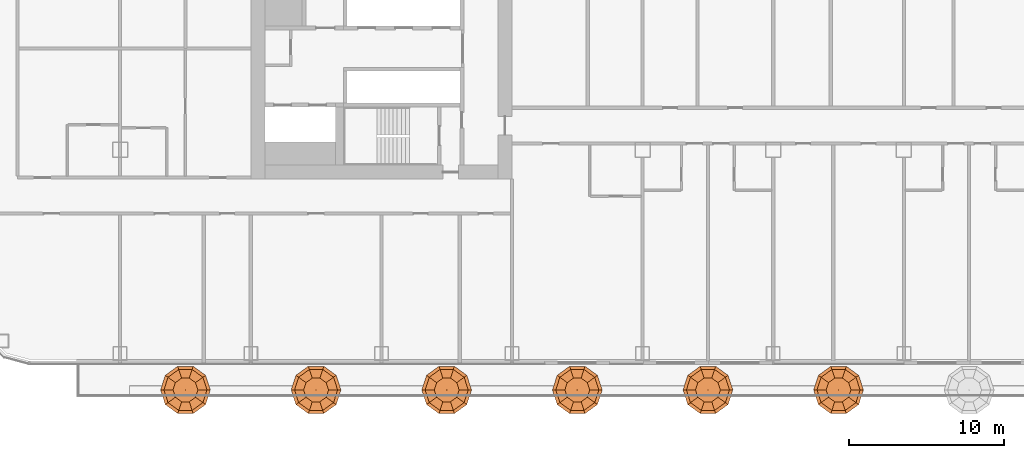
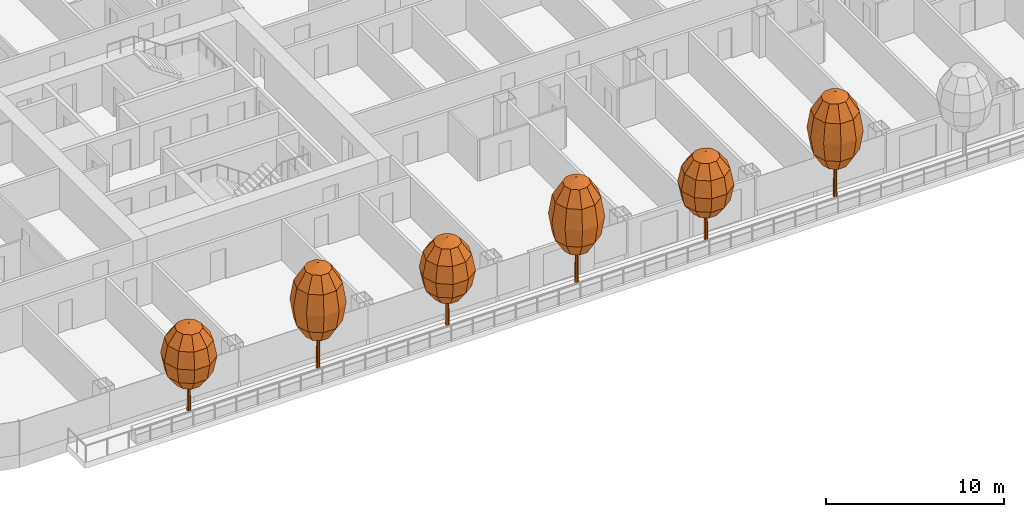
# One storey, part 33 of 36: 6 geographic elements.
"""IFC4 building model written with IfcOpenShell, lengths in metres."""

import ifcopenshell
import ifcopenshell.guid

model = None  # the IFC model being written
_history = None  # IfcOwnerHistory: only IFC2X3 demands one
_inside = {}  # id of a spatial element -> (the spatial element, [elements in it])
_under = {}  # id of a project, library or spatial element -> (it, [spatial elements below it])
_declared = {}  # id of a project -> (the project, [libraries it declares])
_typed = {}  # id of a type object -> (the type object, [elements of that type])
_made_of = {}  # id of a material, layer set ... -> (it, [elements and type objects made of it])


def new_model(schema):
    """Start an empty IFC model of exactly this schema.

    Asked for "IFC4X3", IfcOpenShell would pick the latest addendum, in which some entities
    have other attributes; the version numbers below select the first issue.
    IFC2X3 requires an IfcOwnerHistory on every rooted entity: one is made here for all.
    """
    global model, _history
    if schema == "IFC4X3":
        model = ifcopenshell.file(schema_version=(4, 3, 0, 0))
    else:
        model = ifcopenshell.file(schema=schema)
    _inside.clear()
    _under.clear()
    _declared.clear()
    _typed.clear()
    _made_of.clear()
    _history = None
    if model.schema == "IFC2X3":
        org = make("IfcOrganization", Name="unknown")
        user = make(
            "IfcPersonAndOrganization",
            ThePerson=make("IfcPerson", FamilyName="unknown"),
            TheOrganization=org,
        )
        app = make(
            "IfcApplication",
            ApplicationDeveloper=org,
            Version="unknown",
            ApplicationFullName="unknown",
            ApplicationIdentifier="unknown",
        )
        _history = make(
            "IfcOwnerHistory",
            OwningUser=user,
            OwningApplication=app,
            ChangeAction="ADDED",
            CreationDate=0,
        )
    return model


def make(cls, **values):
    """One entity of the class cls with the attributes given. An attribute that is None is left unset."""
    return model.create_entity(
        cls, **{name: value for name, value in values.items() if value is not None}
    )


def rooted(cls, **values):
    """An entity with a GlobalId (a new one), such as an element, a storey or a relation."""
    return make(cls, GlobalId=ifcopenshell.guid.new(), OwnerHistory=_history, **values)


def si_unit(unit_type, name, prefix=None):
    """IfcSIUnit, for example si_unit("LENGTHUNIT", "METRE", prefix="MILLI")."""
    return make("IfcSIUnit", UnitType=unit_type, Prefix=prefix, Name=name)


def assignment(units):
    """IfcUnitAssignment: the units of a project."""
    return None if units is None else make("IfcUnitAssignment", Units=units)


def point(xyz):
    """IfcCartesianPoint."""
    return None if xyz is None else make("IfcCartesianPoint", Coordinates=xyz)


def direction(xyz):
    """IfcDirection."""
    return None if xyz is None else make("IfcDirection", DirectionRatios=xyz)


def frame(location, z_axis=None, x_axis=None):
    """IfcAxis2Placement3D, a coordinate frame: its origin and axes. An axis left out is left unset."""
    return make(
        "IfcAxis2Placement3D",
        Location=point(location),
        Axis=direction(z_axis),
        RefDirection=direction(x_axis),
    )


def origin():
    """The frame at (0, 0, 0) with its axes left unset."""
    return frame((0.0, 0.0, 0.0))


def place(relative_to, where):
    """IfcLocalPlacement: puts the frame where relative to a parent placement (None: the world)."""
    return make(
        "IfcLocalPlacement", PlacementRelTo=relative_to, RelativePlacement=where
    )


def context(
    kind, dimensions, precision=None, world=None, true_north=None, identifier=None
):
    """IfcGeometricRepresentationContext, for example the 3D "Model" context."""
    return make(
        "IfcGeometricRepresentationContext",
        ContextIdentifier=identifier,
        ContextType=kind,
        CoordinateSpaceDimension=dimensions,
        Precision=precision,
        WorldCoordinateSystem=world,
        TrueNorth=true_north,
    )


def subcontext(parent, identifier, kind, view, scale=None):
    """IfcGeometricRepresentationSubContext, for example "Body" below "Model"."""
    return make(
        "IfcGeometricRepresentationSubContext",
        ContextIdentifier=identifier,
        ContextType=kind,
        ParentContext=parent,
        TargetScale=scale,
        TargetView=view,
    )


def project(units=None, contexts=None):
    """IfcProject with its units and contexts."""
    return rooted(
        "IfcProject",
        Name="project",
        RepresentationContexts=contexts,
        UnitsInContext=assignment(units),
    )


def spatial(cls, under=None, at=None, **own):
    """A site, building, storey or space (cls), placed at a placement, below another one or the project."""
    s = rooted(cls, ObjectPlacement=at, **own)
    if under is not None:
        _under.setdefault(under.id(), (under, []))[1].append(s)
    return s


def point_list(points):
    """IfcCartesianPointList2D or 3D."""
    cls = (
        "IfcCartesianPointList2D" if len(points[0]) == 2 else "IfcCartesianPointList3D"
    )
    return make(cls, CoordList=points)


def triangles(points, corners, closed=None, point_numbers=None):
    """IfcTriangulatedFaceSet: each triangle names its three corners, points numbered from 1."""
    return make(
        "IfcTriangulatedFaceSet",
        Coordinates=point_list(points),
        Closed=closed,
        CoordIndex=corners,
        PnIndex=point_numbers,
    )


def shape(context_of_items, identifier, shape_type, items):
    """IfcShapeRepresentation: the items that make up one representation, for example the "Body"."""
    return make(
        "IfcShapeRepresentation",
        ContextOfItems=context_of_items,
        RepresentationIdentifier=identifier,
        RepresentationType=shape_type,
        Items=items,
    )


def material(Name=None, Category=None):
    """IfcMaterial."""
    return make("IfcMaterial", Name=Name, Category=Category)


def made_of(thing, what):
    """Note that an element or type object is made of a material, layer set ...; save() writes the relation."""
    if what is not None:
        _made_of.setdefault(what.id(), (what, []))[1].append(thing)
    return thing


def type_object(cls, material=None, **own):
    """A type object (cls), such as IfcWallType, which elements share."""
    return made_of(rooted(cls, **own), material)


def element(
    cls,
    number,
    at=None,
    inside=None,
    cuts=None,
    type_object=None,
    material=None,
    context=None,
    identifier="Body",
    shape_type=None,
    held_by="IfcProductDefinitionShape",
    body=None,
    shapes=None,
    **own,
):
    """One element of the class cls, such as IfcWall. Its Tag is "e" and its number.

    at: its placement. inside: the storey or other place that contains it. cuts: it is an
    opening in that element (IfcRelVoidsElement). A single representation is given by context,
    identifier, shape_type and body (its items); several are given by shapes. held_by: the class
    of the entity that holds the representations. save() writes the other relations.
    """
    e = rooted(cls, Tag="e%d" % number, ObjectPlacement=at, **own)
    if body is not None:
        shapes = [shape(context, identifier, shape_type, body)]
    if shapes is not None:
        e.Representation = make(held_by, Representations=shapes)
    if inside is not None:
        _inside.setdefault(inside.id(), (inside, []))[1].append(e)
    if cuts is not None:
        rooted(
            "IfcRelVoidsElement", RelatingBuildingElement=cuts, RelatedOpeningElement=e
        )
    if type_object is not None:
        _typed.setdefault(type_object.id(), (type_object, []))[1].append(e)
    return made_of(e, material)


def aggregate(whole, parts):
    """IfcRelAggregates: a whole, such as a stair, and the parts it consists of."""
    return rooted("IfcRelAggregates", RelatingObject=whole, RelatedObjects=parts)


def save(model, path):
    """Write the relations noted so far, then the file.

    IfcRelAggregates (storeys below a building ...), IfcRelContainedInSpatialStructure (elements
    in a storey), IfcRelDefinesByType, IfcRelAssociatesMaterial and IfcRelDeclares: one each for
    every whole, place, type object, material and project.
    """
    for whole, parts in _under.values():
        aggregate(whole, parts)
    for where, things in _inside.values():
        rooted(
            "IfcRelContainedInSpatialStructure",
            RelatedElements=things,
            RelatingStructure=where,
        )
    for kind, things in _typed.values():
        rooted("IfcRelDefinesByType", RelatedObjects=things, RelatingType=kind)
    for what, things in _made_of.values():
        rooted("IfcRelAssociatesMaterial", RelatedObjects=things, RelatingMaterial=what)
    for by, libraries in _declared.values():
        rooted("IfcRelDeclares", RelatingContext=by, RelatedDefinitions=libraries)
    model.write(path)


model = new_model("IFC4")

# Units and contexts
model_context = context("Model", 3, precision=1e-05, world=origin(), true_north=direction((0.0, 1.0)))
body_context = subcontext(model_context, "Body", "Model", "MODEL_VIEW")
ifc_project = project(units=[si_unit("LENGTHUNIT", "METRE"), si_unit("AREAUNIT", "SQUARE_METRE"), si_unit("VOLUMEUNIT", "CUBIC_METRE"), si_unit("PLANEANGLEUNIT", "RADIAN"), si_unit("MASSUNIT", "GRAM", prefix="KILO")], contexts=[model_context])

# Site, building, storey
site_placement = place(None, origin())
site = spatial("IfcSite", under=ifc_project, at=site_placement, CompositionType="ELEMENT")
building_placement = place(site_placement, origin())
building = spatial("IfcBuilding", under=site, at=building_placement, Name="Hakoniwa Tower and Hamabe Station Hall", CompositionType="ELEMENT")
storey_placement = place(building_placement, frame((0.0, 0.0, 26.199951171875)))
storey = spatial("IfcBuildingStorey", under=building, at=storey_placement, Name="L06", CompositionType="ELEMENT", Elevation=26.199951171875)

# Geographic elements
ifc_material_1 = material(Name="Tree foliage")
geographic_element_type_1 = type_object("IfcGeographicElementType", Name="Japanese maple 7.2 m", PredefinedType="USERDEFINED", material=ifc_material_1)
geographic_element_1_placement = place(storey_placement, frame((-29.39990234375, -21.949951171875, 0.900146484375)))
element("IfcGeographicElement", 1, at=geographic_element_1_placement, inside=storey, type_object=geographic_element_type_1, Name="Japanese maple 7-2 m", ObjectType="TREE", PredefinedType="USERDEFINED", context=body_context, shape_type="Tessellation", body=[
    triangles([(0.125, 0.0, 0.0), (0.08837890625, 0.08837890625, 0.0), (0.0, 0.125, 0.0), (-0.08837890625, 0.08837890625, 0.0), (-0.125, 0.0, 0.0), (-0.08837890625, -0.08837890625, 0.0), (0.0, -0.125, 0.0), (0.08837890625, -0.08837890625, 0.0), (0.074951171875, 0.0, 4.348876953125), (0.052978515625, 0.052978515625, 4.348876953125), (0.0, 0.074951171875, 4.348876953125), (-0.052978515625, 0.052978515625, 4.348876953125), (-0.074951171875, 0.0, 4.348876953125), (-0.052978515625, -0.052978515625, 4.348876953125), (0.0, -0.074951171875, 4.348876953125), (0.052978515625, -0.052978515625, 4.348876953125), (0.0, 0.0, 0.0), (0.0, 0.0, 4.348876953125)], [[1, 2, 10], [1, 10, 9], [17, 2, 1], [18, 9, 10], [2, 3, 11], [2, 11, 10], [17, 3, 2], [18, 10, 11], [3, 4, 12], [3, 12, 11], [17, 4, 3], [18, 11, 12], [4, 5, 13], [4, 13, 12], [17, 5, 4], [18, 12, 13], [5, 6, 14], [5, 14, 13], [17, 6, 5], [18, 13, 14], [6, 7, 15], [6, 15, 14], [17, 7, 6], [18, 14, 15], [7, 8, 16], [7, 16, 15], [17, 8, 7], [18, 15, 16], [8, 1, 9], [8, 9, 16], [17, 1, 8], [18, 16, 9]], closed=True),
    triangles([(0.0, 0.0, 2.015869140625), (0.800048828125, 0.0, 2.36328125), (0.647216796875, 0.47021484375, 2.36328125), (0.247314453125, 0.7607421875, 2.36328125), (-0.247314453125, 0.7607421875, 2.36328125), (-0.647216796875, 0.47021484375, 2.36328125), (-0.800048828125, 0.0, 2.36328125), (-0.647216796875, -0.47021484375, 2.36328125), (-0.247314453125, -0.7607421875, 2.36328125), (0.247314453125, -0.7607421875, 2.36328125), (0.647216796875, -0.47021484375, 2.36328125), (1.385498046875, 0.0, 3.31201171875), (1.12109375, 0.814453125, 3.31201171875), (0.42822265625, 1.31787109375, 3.31201171875), (-0.42822265625, 1.31787109375, 3.31201171875), (-1.12109375, 0.814453125, 3.31201171875), (-1.385498046875, 0.0, 3.31201171875), (-1.12109375, -0.814453125, 3.31201171875), (-0.42822265625, -1.31787109375, 3.31201171875), (0.42822265625, -1.31787109375, 3.31201171875), (1.12109375, -0.814453125, 3.31201171875), (1.60009765625, 0.0, 4.60791015625), (1.29443359375, 0.9404296875, 4.60791015625), (0.494384765625, 1.521728515625, 4.60791015625), (-0.494384765625, 1.521728515625, 4.60791015625), (-1.29443359375, 0.9404296875, 4.60791015625), (-1.60009765625, 0.0, 4.60791015625), (-1.29443359375, -0.9404296875, 4.60791015625), (-0.494384765625, -1.521728515625, 4.60791015625), (0.494384765625, -1.521728515625, 4.60791015625), (1.29443359375, -0.9404296875, 4.60791015625), (1.385498046875, 0.0, 5.904052734375), (1.12109375, 0.814453125, 5.904052734375), (0.42822265625, 1.31787109375, 5.904052734375), (-0.42822265625, 1.31787109375, 5.904052734375), (-1.12109375, 0.814453125, 5.904052734375), (-1.385498046875, 0.0, 5.904052734375), (-1.12109375, -0.814453125, 5.904052734375), (-0.42822265625, -1.31787109375, 5.904052734375), (0.42822265625, -1.31787109375, 5.904052734375), (1.12109375, -0.814453125, 5.904052734375), (0.800048828125, 0.0, 6.852783203125), (0.647216796875, 0.47021484375, 6.852783203125), (0.247314453125, 0.7607421875, 6.852783203125), (-0.247314453125, 0.7607421875, 6.852783203125), (-0.647216796875, 0.47021484375, 6.852783203125), (-0.800048828125, 0.0, 6.852783203125), (-0.647216796875, -0.47021484375, 6.852783203125), (-0.247314453125, -0.7607421875, 6.852783203125), (0.247314453125, -0.7607421875, 6.852783203125), (0.647216796875, -0.47021484375, 6.852783203125), (0.0, 0.0, 7.199951171875)], [[1, 3, 2], [1, 4, 3], [1, 5, 4], [1, 6, 5], [1, 7, 6], [1, 8, 7], [1, 9, 8], [1, 10, 9], [1, 11, 10], [1, 2, 11], [2, 3, 13], [2, 13, 12], [3, 4, 14], [3, 14, 13], [4, 5, 15], [4, 15, 14], [5, 6, 16], [5, 16, 15], [6, 7, 17], [6, 17, 16], [7, 8, 18], [7, 18, 17], [8, 9, 19], [8, 19, 18], [9, 10, 20], [9, 20, 19], [10, 11, 21], [10, 21, 20], [11, 2, 12], [11, 12, 21], [12, 13, 23], [12, 23, 22], [13, 14, 24], [13, 24, 23], [14, 15, 25], [14, 25, 24], [15, 16, 26], [15, 26, 25], [16, 17, 27], [16, 27, 26], [17, 18, 28], [17, 28, 27], [18, 19, 29], [18, 29, 28], [19, 20, 30], [19, 30, 29], [20, 21, 31], [20, 31, 30], [21, 12, 22], [21, 22, 31], [22, 23, 33], [22, 33, 32], [23, 24, 34], [23, 34, 33], [24, 25, 35], [24, 35, 34], [25, 26, 36], [25, 36, 35], [26, 27, 37], [26, 37, 36], [27, 28, 38], [27, 38, 37], [28, 29, 39], [28, 39, 38], [29, 30, 40], [29, 40, 39], [30, 31, 41], [30, 41, 40], [31, 22, 32], [31, 32, 41], [32, 33, 43], [32, 43, 42], [33, 34, 44], [33, 44, 43], [34, 35, 45], [34, 45, 44], [35, 36, 46], [35, 46, 45], [36, 37, 47], [36, 47, 46], [37, 38, 48], [37, 48, 47], [38, 39, 49], [38, 49, 48], [39, 40, 50], [39, 50, 49], [40, 41, 51], [40, 51, 50], [41, 32, 42], [41, 42, 51], [52, 42, 43], [52, 43, 44], [52, 44, 45], [52, 45, 46], [52, 46, 47], [52, 47, 48], [52, 48, 49], [52, 49, 50], [52, 50, 51], [52, 51, 42]], closed=True),
])
geographic_element_2_placement = place(storey_placement, frame((-12.60009765625, -21.949951171875, 0.900146484375)))
element("IfcGeographicElement", 2, at=geographic_element_2_placement, inside=storey, type_object=geographic_element_type_1, Name="Japanese maple 7-2 m", ObjectType="TREE", PredefinedType="USERDEFINED", context=body_context, shape_type="Tessellation", body=[
    triangles([(0.125, 0.0, 0.0), (0.08837890625, 0.08837890625, 0.0), (0.0, 0.125, 0.0), (-0.08837890625, 0.08837890625, 0.0), (-0.125, 0.0, 0.0), (-0.08837890625, -0.08837890625, 0.0), (0.0, -0.125, 0.0), (0.08837890625, -0.08837890625, 0.0), (0.074951171875, 0.0, 4.348876953125), (0.052978515625, 0.052978515625, 4.348876953125), (0.0, 0.074951171875, 4.348876953125), (-0.052978515625, 0.052978515625, 4.348876953125), (-0.074951171875, 0.0, 4.348876953125), (-0.052978515625, -0.052978515625, 4.348876953125), (0.0, -0.074951171875, 4.348876953125), (0.052978515625, -0.052978515625, 4.348876953125), (0.0, 0.0, 0.0), (0.0, 0.0, 4.348876953125)], [[1, 2, 10], [1, 10, 9], [17, 2, 1], [18, 9, 10], [2, 3, 11], [2, 11, 10], [17, 3, 2], [18, 10, 11], [3, 4, 12], [3, 12, 11], [17, 4, 3], [18, 11, 12], [4, 5, 13], [4, 13, 12], [17, 5, 4], [18, 12, 13], [5, 6, 14], [5, 14, 13], [17, 6, 5], [18, 13, 14], [6, 7, 15], [6, 15, 14], [17, 7, 6], [18, 14, 15], [7, 8, 16], [7, 16, 15], [17, 8, 7], [18, 15, 16], [8, 1, 9], [8, 9, 16], [17, 1, 8], [18, 16, 9]], closed=True),
    triangles([(0.0, 0.0, 2.015869140625), (0.800048828125, 0.0, 2.36328125), (0.647216796875, 0.47021484375, 2.36328125), (0.247314453125, 0.7607421875, 2.36328125), (-0.247314453125, 0.7607421875, 2.36328125), (-0.647216796875, 0.47021484375, 2.36328125), (-0.800048828125, 0.0, 2.36328125), (-0.647216796875, -0.47021484375, 2.36328125), (-0.247314453125, -0.7607421875, 2.36328125), (0.247314453125, -0.7607421875, 2.36328125), (0.647216796875, -0.47021484375, 2.36328125), (1.385498046875, 0.0, 3.31201171875), (1.12109375, 0.814453125, 3.31201171875), (0.42822265625, 1.31787109375, 3.31201171875), (-0.42822265625, 1.31787109375, 3.31201171875), (-1.12109375, 0.814453125, 3.31201171875), (-1.385498046875, 0.0, 3.31201171875), (-1.12109375, -0.814453125, 3.31201171875), (-0.42822265625, -1.31787109375, 3.31201171875), (0.42822265625, -1.31787109375, 3.31201171875), (1.12109375, -0.814453125, 3.31201171875), (1.60009765625, 0.0, 4.60791015625), (1.29443359375, 0.9404296875, 4.60791015625), (0.494384765625, 1.521728515625, 4.60791015625), (-0.494384765625, 1.521728515625, 4.60791015625), (-1.29443359375, 0.9404296875, 4.60791015625), (-1.60009765625, 0.0, 4.60791015625), (-1.29443359375, -0.9404296875, 4.60791015625), (-0.494384765625, -1.521728515625, 4.60791015625), (0.494384765625, -1.521728515625, 4.60791015625), (1.29443359375, -0.9404296875, 4.60791015625), (1.385498046875, 0.0, 5.904052734375), (1.12109375, 0.814453125, 5.904052734375), (0.42822265625, 1.31787109375, 5.904052734375), (-0.42822265625, 1.31787109375, 5.904052734375), (-1.12109375, 0.814453125, 5.904052734375), (-1.385498046875, 0.0, 5.904052734375), (-1.12109375, -0.814453125, 5.904052734375), (-0.42822265625, -1.31787109375, 5.904052734375), (0.42822265625, -1.31787109375, 5.904052734375), (1.12109375, -0.814453125, 5.904052734375), (0.800048828125, 0.0, 6.852783203125), (0.647216796875, 0.47021484375, 6.852783203125), (0.247314453125, 0.7607421875, 6.852783203125), (-0.247314453125, 0.7607421875, 6.852783203125), (-0.647216796875, 0.47021484375, 6.852783203125), (-0.800048828125, 0.0, 6.852783203125), (-0.647216796875, -0.47021484375, 6.852783203125), (-0.247314453125, -0.7607421875, 6.852783203125), (0.247314453125, -0.7607421875, 6.852783203125), (0.647216796875, -0.47021484375, 6.852783203125), (0.0, 0.0, 7.199951171875)], [[1, 3, 2], [1, 4, 3], [1, 5, 4], [1, 6, 5], [1, 7, 6], [1, 8, 7], [1, 9, 8], [1, 10, 9], [1, 11, 10], [1, 2, 11], [2, 3, 13], [2, 13, 12], [3, 4, 14], [3, 14, 13], [4, 5, 15], [4, 15, 14], [5, 6, 16], [5, 16, 15], [6, 7, 17], [6, 17, 16], [7, 8, 18], [7, 18, 17], [8, 9, 19], [8, 19, 18], [9, 10, 20], [9, 20, 19], [10, 11, 21], [10, 21, 20], [11, 2, 12], [11, 12, 21], [12, 13, 23], [12, 23, 22], [13, 14, 24], [13, 24, 23], [14, 15, 25], [14, 25, 24], [15, 16, 26], [15, 26, 25], [16, 17, 27], [16, 27, 26], [17, 18, 28], [17, 28, 27], [18, 19, 29], [18, 29, 28], [19, 20, 30], [19, 30, 29], [20, 21, 31], [20, 31, 30], [21, 12, 22], [21, 22, 31], [22, 23, 33], [22, 33, 32], [23, 24, 34], [23, 34, 33], [24, 25, 35], [24, 35, 34], [25, 26, 36], [25, 36, 35], [26, 27, 37], [26, 37, 36], [27, 28, 38], [27, 38, 37], [28, 29, 39], [28, 39, 38], [29, 30, 40], [29, 40, 39], [30, 31, 41], [30, 41, 40], [31, 22, 32], [31, 32, 41], [32, 33, 43], [32, 43, 42], [33, 34, 44], [33, 44, 43], [34, 35, 45], [34, 45, 44], [35, 36, 46], [35, 46, 45], [36, 37, 47], [36, 47, 46], [37, 38, 48], [37, 48, 47], [38, 39, 49], [38, 49, 48], [39, 40, 50], [39, 50, 49], [40, 41, 51], [40, 51, 50], [41, 32, 42], [41, 42, 51], [52, 42, 43], [52, 43, 44], [52, 44, 45], [52, 45, 46], [52, 46, 47], [52, 47, 48], [52, 48, 49], [52, 49, 50], [52, 50, 51], [52, 51, 42]], closed=True),
])
geographic_element_3_placement = place(storey_placement, frame((4.199951171875, -21.949951171875, 0.900146484375)))
element("IfcGeographicElement", 3, at=geographic_element_3_placement, inside=storey, type_object=geographic_element_type_1, Name="Japanese maple 7-2 m", ObjectType="TREE", PredefinedType="USERDEFINED", context=body_context, shape_type="Tessellation", body=[
    triangles([(0.125, 0.0, 0.0), (0.08837890625, 0.08837890625, 0.0), (0.0, 0.125, 0.0), (-0.08837890625, 0.08837890625, 0.0), (-0.125, 0.0, 0.0), (-0.08837890625, -0.08837890625, 0.0), (0.0, -0.125, 0.0), (0.08837890625, -0.08837890625, 0.0), (0.074951171875, 0.0, 4.348876953125), (0.052978515625, 0.052978515625, 4.348876953125), (0.0, 0.074951171875, 4.348876953125), (-0.052978515625, 0.052978515625, 4.348876953125), (-0.074951171875, 0.0, 4.348876953125), (-0.052978515625, -0.052978515625, 4.348876953125), (0.0, -0.074951171875, 4.348876953125), (0.052978515625, -0.052978515625, 4.348876953125), (0.0, 0.0, 0.0), (0.0, 0.0, 4.348876953125)], [[1, 2, 10], [1, 10, 9], [17, 2, 1], [18, 9, 10], [2, 3, 11], [2, 11, 10], [17, 3, 2], [18, 10, 11], [3, 4, 12], [3, 12, 11], [17, 4, 3], [18, 11, 12], [4, 5, 13], [4, 13, 12], [17, 5, 4], [18, 12, 13], [5, 6, 14], [5, 14, 13], [17, 6, 5], [18, 13, 14], [6, 7, 15], [6, 15, 14], [17, 7, 6], [18, 14, 15], [7, 8, 16], [7, 16, 15], [17, 8, 7], [18, 15, 16], [8, 1, 9], [8, 9, 16], [17, 1, 8], [18, 16, 9]], closed=True),
    triangles([(0.0, 0.0, 2.015869140625), (0.800048828125, 0.0, 2.36328125), (0.647216796875, 0.47021484375, 2.36328125), (0.247314453125, 0.7607421875, 2.36328125), (-0.247314453125, 0.7607421875, 2.36328125), (-0.647216796875, 0.47021484375, 2.36328125), (-0.800048828125, 0.0, 2.36328125), (-0.647216796875, -0.47021484375, 2.36328125), (-0.247314453125, -0.7607421875, 2.36328125), (0.247314453125, -0.7607421875, 2.36328125), (0.647216796875, -0.47021484375, 2.36328125), (1.385498046875, 0.0, 3.31201171875), (1.12109375, 0.814453125, 3.31201171875), (0.42822265625, 1.31787109375, 3.31201171875), (-0.42822265625, 1.31787109375, 3.31201171875), (-1.12109375, 0.814453125, 3.31201171875), (-1.385498046875, 0.0, 3.31201171875), (-1.12109375, -0.814453125, 3.31201171875), (-0.42822265625, -1.31787109375, 3.31201171875), (0.42822265625, -1.31787109375, 3.31201171875), (1.12109375, -0.814453125, 3.31201171875), (1.60009765625, 0.0, 4.60791015625), (1.29443359375, 0.9404296875, 4.60791015625), (0.494384765625, 1.521728515625, 4.60791015625), (-0.494384765625, 1.521728515625, 4.60791015625), (-1.29443359375, 0.9404296875, 4.60791015625), (-1.60009765625, 0.0, 4.60791015625), (-1.29443359375, -0.9404296875, 4.60791015625), (-0.494384765625, -1.521728515625, 4.60791015625), (0.494384765625, -1.521728515625, 4.60791015625), (1.29443359375, -0.9404296875, 4.60791015625), (1.385498046875, 0.0, 5.904052734375), (1.12109375, 0.814453125, 5.904052734375), (0.42822265625, 1.31787109375, 5.904052734375), (-0.42822265625, 1.31787109375, 5.904052734375), (-1.12109375, 0.814453125, 5.904052734375), (-1.385498046875, 0.0, 5.904052734375), (-1.12109375, -0.814453125, 5.904052734375), (-0.42822265625, -1.31787109375, 5.904052734375), (0.42822265625, -1.31787109375, 5.904052734375), (1.12109375, -0.814453125, 5.904052734375), (0.800048828125, 0.0, 6.852783203125), (0.647216796875, 0.47021484375, 6.852783203125), (0.247314453125, 0.7607421875, 6.852783203125), (-0.247314453125, 0.7607421875, 6.852783203125), (-0.647216796875, 0.47021484375, 6.852783203125), (-0.800048828125, 0.0, 6.852783203125), (-0.647216796875, -0.47021484375, 6.852783203125), (-0.247314453125, -0.7607421875, 6.852783203125), (0.247314453125, -0.7607421875, 6.852783203125), (0.647216796875, -0.47021484375, 6.852783203125), (0.0, 0.0, 7.199951171875)], [[1, 3, 2], [1, 4, 3], [1, 5, 4], [1, 6, 5], [1, 7, 6], [1, 8, 7], [1, 9, 8], [1, 10, 9], [1, 11, 10], [1, 2, 11], [2, 3, 13], [2, 13, 12], [3, 4, 14], [3, 14, 13], [4, 5, 15], [4, 15, 14], [5, 6, 16], [5, 16, 15], [6, 7, 17], [6, 17, 16], [7, 8, 18], [7, 18, 17], [8, 9, 19], [8, 19, 18], [9, 10, 20], [9, 20, 19], [10, 11, 21], [10, 21, 20], [11, 2, 12], [11, 12, 21], [12, 13, 23], [12, 23, 22], [13, 14, 24], [13, 24, 23], [14, 15, 25], [14, 25, 24], [15, 16, 26], [15, 26, 25], [16, 17, 27], [16, 27, 26], [17, 18, 28], [17, 28, 27], [18, 19, 29], [18, 29, 28], [19, 20, 30], [19, 30, 29], [20, 21, 31], [20, 31, 30], [21, 12, 22], [21, 22, 31], [22, 23, 33], [22, 33, 32], [23, 24, 34], [23, 34, 33], [24, 25, 35], [24, 35, 34], [25, 26, 36], [25, 36, 35], [26, 27, 37], [26, 37, 36], [27, 28, 38], [27, 38, 37], [28, 29, 39], [28, 39, 38], [29, 30, 40], [29, 40, 39], [30, 31, 41], [30, 41, 40], [31, 22, 32], [31, 32, 41], [32, 33, 43], [32, 43, 42], [33, 34, 44], [33, 44, 43], [34, 35, 45], [34, 45, 44], [35, 36, 46], [35, 46, 45], [36, 37, 47], [36, 47, 46], [37, 38, 48], [37, 48, 47], [38, 39, 49], [38, 49, 48], [39, 40, 50], [39, 50, 49], [40, 41, 51], [40, 51, 50], [41, 32, 42], [41, 42, 51], [52, 42, 43], [52, 43, 44], [52, 44, 45], [52, 45, 46], [52, 46, 47], [52, 47, 48], [52, 48, 49], [52, 49, 50], [52, 50, 51], [52, 51, 42]], closed=True),
])
ifc_material_2 = material(Name="Tree foliage")
geographic_element_type_2 = type_object("IfcGeographicElementType", Name="Osmanthus 6.0 m", PredefinedType="USERDEFINED", material=ifc_material_2)
geographic_element_4_placement = place(storey_placement, frame((-37.800048828125, -21.949951171875, 0.900146484375)))
element("IfcGeographicElement", 4, at=geographic_element_4_placement, inside=storey, type_object=geographic_element_type_2, Name="Osmanthus 6-0 m", ObjectType="TREE", PredefinedType="USERDEFINED", context=body_context, shape_type="Tessellation", body=[
    triangles([(0.125, 0.0, 0.0), (0.08837890625, 0.08837890625, 0.0), (0.0, 0.125, 0.0), (-0.08837890625, 0.08837890625, 0.0), (-0.125, 0.0, 0.0), (-0.08837890625, -0.08837890625, 0.0), (0.0, -0.125, 0.0), (0.08837890625, -0.08837890625, 0.0), (0.074951171875, 0.0, 3.6240234375), (0.052978515625, 0.052978515625, 3.6240234375), (0.0, 0.074951171875, 3.6240234375), (-0.052978515625, 0.052978515625, 3.6240234375), (-0.074951171875, 0.0, 3.6240234375), (-0.052978515625, -0.052978515625, 3.6240234375), (0.0, -0.074951171875, 3.6240234375), (0.052978515625, -0.052978515625, 3.6240234375), (0.0, 0.0, 0.0), (0.0, 0.0, 3.6240234375)], [[1, 2, 10], [1, 10, 9], [17, 2, 1], [18, 9, 10], [2, 3, 11], [2, 11, 10], [17, 3, 2], [18, 10, 11], [3, 4, 12], [3, 12, 11], [17, 4, 3], [18, 11, 12], [4, 5, 13], [4, 13, 12], [17, 5, 4], [18, 12, 13], [5, 6, 14], [5, 14, 13], [17, 6, 5], [18, 13, 14], [6, 7, 15], [6, 15, 14], [17, 7, 6], [18, 14, 15], [7, 8, 16], [7, 16, 15], [17, 8, 7], [18, 15, 16], [8, 1, 9], [8, 9, 16], [17, 1, 8], [18, 16, 9]], closed=True),
    triangles([(0.0, 0.0, 1.679931640625), (0.800048828125, 0.0, 1.969482421875), (0.647216796875, 0.47021484375, 1.969482421875), (0.247314453125, 0.7607421875, 1.969482421875), (-0.247314453125, 0.7607421875, 1.969482421875), (-0.647216796875, 0.47021484375, 1.969482421875), (-0.800048828125, 0.0, 1.969482421875), (-0.647216796875, -0.47021484375, 1.969482421875), (-0.247314453125, -0.7607421875, 1.969482421875), (0.247314453125, -0.7607421875, 1.969482421875), (0.647216796875, -0.47021484375, 1.969482421875), (1.385498046875, 0.0, 2.760009765625), (1.12109375, 0.814453125, 2.760009765625), (0.42822265625, 1.31787109375, 2.760009765625), (-0.42822265625, 1.31787109375, 2.760009765625), (-1.12109375, 0.814453125, 2.760009765625), (-1.385498046875, 0.0, 2.760009765625), (-1.12109375, -0.814453125, 2.760009765625), (-0.42822265625, -1.31787109375, 2.760009765625), (0.42822265625, -1.31787109375, 2.760009765625), (1.12109375, -0.814453125, 2.760009765625), (1.60009765625, 0.0, 3.840087890625), (1.29443359375, 0.9404296875, 3.840087890625), (0.494384765625, 1.521728515625, 3.840087890625), (-0.494384765625, 1.521728515625, 3.840087890625), (-1.29443359375, 0.9404296875, 3.840087890625), (-1.60009765625, 0.0, 3.840087890625), (-1.29443359375, -0.9404296875, 3.840087890625), (-0.494384765625, -1.521728515625, 3.840087890625), (0.494384765625, -1.521728515625, 3.840087890625), (1.29443359375, -0.9404296875, 3.840087890625), (1.385498046875, 0.0, 4.919921875), (1.12109375, 0.814453125, 4.919921875), (0.42822265625, 1.31787109375, 4.919921875), (-0.42822265625, 1.31787109375, 4.919921875), (-1.12109375, 0.814453125, 4.919921875), (-1.385498046875, 0.0, 4.919921875), (-1.12109375, -0.814453125, 4.919921875), (-0.42822265625, -1.31787109375, 4.919921875), (0.42822265625, -1.31787109375, 4.919921875), (1.12109375, -0.814453125, 4.919921875), (0.800048828125, 0.0, 5.710693359375), (0.647216796875, 0.47021484375, 5.710693359375), (0.247314453125, 0.7607421875, 5.710693359375), (-0.247314453125, 0.7607421875, 5.710693359375), (-0.647216796875, 0.47021484375, 5.710693359375), (-0.800048828125, 0.0, 5.710693359375), (-0.647216796875, -0.47021484375, 5.710693359375), (-0.247314453125, -0.7607421875, 5.710693359375), (0.247314453125, -0.7607421875, 5.710693359375), (0.647216796875, -0.47021484375, 5.710693359375), (0.0, 0.0, 6.0)], [[1, 3, 2], [1, 4, 3], [1, 5, 4], [1, 6, 5], [1, 7, 6], [1, 8, 7], [1, 9, 8], [1, 10, 9], [1, 11, 10], [1, 2, 11], [2, 3, 13], [2, 13, 12], [3, 4, 14], [3, 14, 13], [4, 5, 15], [4, 15, 14], [5, 6, 16], [5, 16, 15], [6, 7, 17], [6, 17, 16], [7, 8, 18], [7, 18, 17], [8, 9, 19], [8, 19, 18], [9, 10, 20], [9, 20, 19], [10, 11, 21], [10, 21, 20], [11, 2, 12], [11, 12, 21], [12, 13, 23], [12, 23, 22], [13, 14, 24], [13, 24, 23], [14, 15, 25], [14, 25, 24], [15, 16, 26], [15, 26, 25], [16, 17, 27], [16, 27, 26], [17, 18, 28], [17, 28, 27], [18, 19, 29], [18, 29, 28], [19, 20, 30], [19, 30, 29], [20, 21, 31], [20, 31, 30], [21, 12, 22], [21, 22, 31], [22, 23, 33], [22, 33, 32], [23, 24, 34], [23, 34, 33], [24, 25, 35], [24, 35, 34], [25, 26, 36], [25, 36, 35], [26, 27, 37], [26, 37, 36], [27, 28, 38], [27, 38, 37], [28, 29, 39], [28, 39, 38], [29, 30, 40], [29, 40, 39], [30, 31, 41], [30, 41, 40], [31, 22, 32], [31, 32, 41], [32, 33, 43], [32, 43, 42], [33, 34, 44], [33, 44, 43], [34, 35, 45], [34, 45, 44], [35, 36, 46], [35, 46, 45], [36, 37, 47], [36, 47, 46], [37, 38, 48], [37, 48, 47], [38, 39, 49], [38, 49, 48], [39, 40, 50], [39, 50, 49], [40, 41, 51], [40, 51, 50], [41, 32, 42], [41, 42, 51], [52, 42, 43], [52, 43, 44], [52, 44, 45], [52, 45, 46], [52, 46, 47], [52, 47, 48], [52, 48, 49], [52, 49, 50], [52, 50, 51], [52, 51, 42]], closed=True),
])
geographic_element_5_placement = place(storey_placement, frame((-21.0, -21.949951171875, 0.900146484375)))
element("IfcGeographicElement", 5, at=geographic_element_5_placement, inside=storey, type_object=geographic_element_type_2, Name="Osmanthus 6-0 m", ObjectType="TREE", PredefinedType="USERDEFINED", context=body_context, shape_type="Tessellation", body=[
    triangles([(0.125, 0.0, 0.0), (0.08837890625, 0.08837890625, 0.0), (0.0, 0.125, 0.0), (-0.08837890625, 0.08837890625, 0.0), (-0.125, 0.0, 0.0), (-0.08837890625, -0.08837890625, 0.0), (0.0, -0.125, 0.0), (0.08837890625, -0.08837890625, 0.0), (0.074951171875, 0.0, 3.6240234375), (0.052978515625, 0.052978515625, 3.6240234375), (0.0, 0.074951171875, 3.6240234375), (-0.052978515625, 0.052978515625, 3.6240234375), (-0.074951171875, 0.0, 3.6240234375), (-0.052978515625, -0.052978515625, 3.6240234375), (0.0, -0.074951171875, 3.6240234375), (0.052978515625, -0.052978515625, 3.6240234375), (0.0, 0.0, 0.0), (0.0, 0.0, 3.6240234375)], [[1, 2, 10], [1, 10, 9], [17, 2, 1], [18, 9, 10], [2, 3, 11], [2, 11, 10], [17, 3, 2], [18, 10, 11], [3, 4, 12], [3, 12, 11], [17, 4, 3], [18, 11, 12], [4, 5, 13], [4, 13, 12], [17, 5, 4], [18, 12, 13], [5, 6, 14], [5, 14, 13], [17, 6, 5], [18, 13, 14], [6, 7, 15], [6, 15, 14], [17, 7, 6], [18, 14, 15], [7, 8, 16], [7, 16, 15], [17, 8, 7], [18, 15, 16], [8, 1, 9], [8, 9, 16], [17, 1, 8], [18, 16, 9]], closed=True),
    triangles([(0.0, 0.0, 1.679931640625), (0.800048828125, 0.0, 1.969482421875), (0.647216796875, 0.47021484375, 1.969482421875), (0.247314453125, 0.7607421875, 1.969482421875), (-0.247314453125, 0.7607421875, 1.969482421875), (-0.647216796875, 0.47021484375, 1.969482421875), (-0.800048828125, 0.0, 1.969482421875), (-0.647216796875, -0.47021484375, 1.969482421875), (-0.247314453125, -0.7607421875, 1.969482421875), (0.247314453125, -0.7607421875, 1.969482421875), (0.647216796875, -0.47021484375, 1.969482421875), (1.385498046875, 0.0, 2.760009765625), (1.12109375, 0.814453125, 2.760009765625), (0.42822265625, 1.31787109375, 2.760009765625), (-0.42822265625, 1.31787109375, 2.760009765625), (-1.12109375, 0.814453125, 2.760009765625), (-1.385498046875, 0.0, 2.760009765625), (-1.12109375, -0.814453125, 2.760009765625), (-0.42822265625, -1.31787109375, 2.760009765625), (0.42822265625, -1.31787109375, 2.760009765625), (1.12109375, -0.814453125, 2.760009765625), (1.60009765625, 0.0, 3.840087890625), (1.29443359375, 0.9404296875, 3.840087890625), (0.494384765625, 1.521728515625, 3.840087890625), (-0.494384765625, 1.521728515625, 3.840087890625), (-1.29443359375, 0.9404296875, 3.840087890625), (-1.60009765625, 0.0, 3.840087890625), (-1.29443359375, -0.9404296875, 3.840087890625), (-0.494384765625, -1.521728515625, 3.840087890625), (0.494384765625, -1.521728515625, 3.840087890625), (1.29443359375, -0.9404296875, 3.840087890625), (1.385498046875, 0.0, 4.919921875), (1.12109375, 0.814453125, 4.919921875), (0.42822265625, 1.31787109375, 4.919921875), (-0.42822265625, 1.31787109375, 4.919921875), (-1.12109375, 0.814453125, 4.919921875), (-1.385498046875, 0.0, 4.919921875), (-1.12109375, -0.814453125, 4.919921875), (-0.42822265625, -1.31787109375, 4.919921875), (0.42822265625, -1.31787109375, 4.919921875), (1.12109375, -0.814453125, 4.919921875), (0.800048828125, 0.0, 5.710693359375), (0.647216796875, 0.47021484375, 5.710693359375), (0.247314453125, 0.7607421875, 5.710693359375), (-0.247314453125, 0.7607421875, 5.710693359375), (-0.647216796875, 0.47021484375, 5.710693359375), (-0.800048828125, 0.0, 5.710693359375), (-0.647216796875, -0.47021484375, 5.710693359375), (-0.247314453125, -0.7607421875, 5.710693359375), (0.247314453125, -0.7607421875, 5.710693359375), (0.647216796875, -0.47021484375, 5.710693359375), (0.0, 0.0, 6.0)], [[1, 3, 2], [1, 4, 3], [1, 5, 4], [1, 6, 5], [1, 7, 6], [1, 8, 7], [1, 9, 8], [1, 10, 9], [1, 11, 10], [1, 2, 11], [2, 3, 13], [2, 13, 12], [3, 4, 14], [3, 14, 13], [4, 5, 15], [4, 15, 14], [5, 6, 16], [5, 16, 15], [6, 7, 17], [6, 17, 16], [7, 8, 18], [7, 18, 17], [8, 9, 19], [8, 19, 18], [9, 10, 20], [9, 20, 19], [10, 11, 21], [10, 21, 20], [11, 2, 12], [11, 12, 21], [12, 13, 23], [12, 23, 22], [13, 14, 24], [13, 24, 23], [14, 15, 25], [14, 25, 24], [15, 16, 26], [15, 26, 25], [16, 17, 27], [16, 27, 26], [17, 18, 28], [17, 28, 27], [18, 19, 29], [18, 29, 28], [19, 20, 30], [19, 30, 29], [20, 21, 31], [20, 31, 30], [21, 12, 22], [21, 22, 31], [22, 23, 33], [22, 33, 32], [23, 24, 34], [23, 34, 33], [24, 25, 35], [24, 35, 34], [25, 26, 36], [25, 36, 35], [26, 27, 37], [26, 37, 36], [27, 28, 38], [27, 38, 37], [28, 29, 39], [28, 39, 38], [29, 30, 40], [29, 40, 39], [30, 31, 41], [30, 41, 40], [31, 22, 32], [31, 32, 41], [32, 33, 43], [32, 43, 42], [33, 34, 44], [33, 44, 43], [34, 35, 45], [34, 45, 44], [35, 36, 46], [35, 46, 45], [36, 37, 47], [36, 47, 46], [37, 38, 48], [37, 48, 47], [38, 39, 49], [38, 49, 48], [39, 40, 50], [39, 50, 49], [40, 41, 51], [40, 51, 50], [41, 32, 42], [41, 42, 51], [52, 42, 43], [52, 43, 44], [52, 44, 45], [52, 45, 46], [52, 46, 47], [52, 47, 48], [52, 48, 49], [52, 49, 50], [52, 50, 51], [52, 51, 42]], closed=True),
])
geographic_element_6_placement = place(storey_placement, frame((-4.199951171875, -21.949951171875, 0.900146484375)))
element("IfcGeographicElement", 6, at=geographic_element_6_placement, inside=storey, type_object=geographic_element_type_2, Name="Osmanthus 6-0 m", ObjectType="TREE", PredefinedType="USERDEFINED", context=body_context, shape_type="Tessellation", body=[
    triangles([(0.125, 0.0, 0.0), (0.08837890625, 0.08837890625, 0.0), (0.0, 0.125, 0.0), (-0.08837890625, 0.08837890625, 0.0), (-0.125, 0.0, 0.0), (-0.08837890625, -0.08837890625, 0.0), (0.0, -0.125, 0.0), (0.08837890625, -0.08837890625, 0.0), (0.074951171875, 0.0, 3.6240234375), (0.052978515625, 0.052978515625, 3.6240234375), (0.0, 0.074951171875, 3.6240234375), (-0.052978515625, 0.052978515625, 3.6240234375), (-0.074951171875, 0.0, 3.6240234375), (-0.052978515625, -0.052978515625, 3.6240234375), (0.0, -0.074951171875, 3.6240234375), (0.052978515625, -0.052978515625, 3.6240234375), (0.0, 0.0, 0.0), (0.0, 0.0, 3.6240234375)], [[1, 2, 10], [1, 10, 9], [17, 2, 1], [18, 9, 10], [2, 3, 11], [2, 11, 10], [17, 3, 2], [18, 10, 11], [3, 4, 12], [3, 12, 11], [17, 4, 3], [18, 11, 12], [4, 5, 13], [4, 13, 12], [17, 5, 4], [18, 12, 13], [5, 6, 14], [5, 14, 13], [17, 6, 5], [18, 13, 14], [6, 7, 15], [6, 15, 14], [17, 7, 6], [18, 14, 15], [7, 8, 16], [7, 16, 15], [17, 8, 7], [18, 15, 16], [8, 1, 9], [8, 9, 16], [17, 1, 8], [18, 16, 9]], closed=True),
    triangles([(0.0, 0.0, 1.679931640625), (0.800048828125, 0.0, 1.969482421875), (0.647216796875, 0.47021484375, 1.969482421875), (0.247314453125, 0.7607421875, 1.969482421875), (-0.247314453125, 0.7607421875, 1.969482421875), (-0.647216796875, 0.47021484375, 1.969482421875), (-0.800048828125, 0.0, 1.969482421875), (-0.647216796875, -0.47021484375, 1.969482421875), (-0.247314453125, -0.7607421875, 1.969482421875), (0.247314453125, -0.7607421875, 1.969482421875), (0.647216796875, -0.47021484375, 1.969482421875), (1.385498046875, 0.0, 2.760009765625), (1.12109375, 0.814453125, 2.760009765625), (0.42822265625, 1.31787109375, 2.760009765625), (-0.42822265625, 1.31787109375, 2.760009765625), (-1.12109375, 0.814453125, 2.760009765625), (-1.385498046875, 0.0, 2.760009765625), (-1.12109375, -0.814453125, 2.760009765625), (-0.42822265625, -1.31787109375, 2.760009765625), (0.42822265625, -1.31787109375, 2.760009765625), (1.12109375, -0.814453125, 2.760009765625), (1.60009765625, 0.0, 3.840087890625), (1.29443359375, 0.9404296875, 3.840087890625), (0.494384765625, 1.521728515625, 3.840087890625), (-0.494384765625, 1.521728515625, 3.840087890625), (-1.29443359375, 0.9404296875, 3.840087890625), (-1.60009765625, 0.0, 3.840087890625), (-1.29443359375, -0.9404296875, 3.840087890625), (-0.494384765625, -1.521728515625, 3.840087890625), (0.494384765625, -1.521728515625, 3.840087890625), (1.29443359375, -0.9404296875, 3.840087890625), (1.385498046875, 0.0, 4.919921875), (1.12109375, 0.814453125, 4.919921875), (0.42822265625, 1.31787109375, 4.919921875), (-0.42822265625, 1.31787109375, 4.919921875), (-1.12109375, 0.814453125, 4.919921875), (-1.385498046875, 0.0, 4.919921875), (-1.12109375, -0.814453125, 4.919921875), (-0.42822265625, -1.31787109375, 4.919921875), (0.42822265625, -1.31787109375, 4.919921875), (1.12109375, -0.814453125, 4.919921875), (0.800048828125, 0.0, 5.710693359375), (0.647216796875, 0.47021484375, 5.710693359375), (0.247314453125, 0.7607421875, 5.710693359375), (-0.247314453125, 0.7607421875, 5.710693359375), (-0.647216796875, 0.47021484375, 5.710693359375), (-0.800048828125, 0.0, 5.710693359375), (-0.647216796875, -0.47021484375, 5.710693359375), (-0.247314453125, -0.7607421875, 5.710693359375), (0.247314453125, -0.7607421875, 5.710693359375), (0.647216796875, -0.47021484375, 5.710693359375), (0.0, 0.0, 6.0)], [[1, 3, 2], [1, 4, 3], [1, 5, 4], [1, 6, 5], [1, 7, 6], [1, 8, 7], [1, 9, 8], [1, 10, 9], [1, 11, 10], [1, 2, 11], [2, 3, 13], [2, 13, 12], [3, 4, 14], [3, 14, 13], [4, 5, 15], [4, 15, 14], [5, 6, 16], [5, 16, 15], [6, 7, 17], [6, 17, 16], [7, 8, 18], [7, 18, 17], [8, 9, 19], [8, 19, 18], [9, 10, 20], [9, 20, 19], [10, 11, 21], [10, 21, 20], [11, 2, 12], [11, 12, 21], [12, 13, 23], [12, 23, 22], [13, 14, 24], [13, 24, 23], [14, 15, 25], [14, 25, 24], [15, 16, 26], [15, 26, 25], [16, 17, 27], [16, 27, 26], [17, 18, 28], [17, 28, 27], [18, 19, 29], [18, 29, 28], [19, 20, 30], [19, 30, 29], [20, 21, 31], [20, 31, 30], [21, 12, 22], [21, 22, 31], [22, 23, 33], [22, 33, 32], [23, 24, 34], [23, 34, 33], [24, 25, 35], [24, 35, 34], [25, 26, 36], [25, 36, 35], [26, 27, 37], [26, 37, 36], [27, 28, 38], [27, 38, 37], [28, 29, 39], [28, 39, 38], [29, 30, 40], [29, 40, 39], [30, 31, 41], [30, 41, 40], [31, 22, 32], [31, 32, 41], [32, 33, 43], [32, 43, 42], [33, 34, 44], [33, 44, 43], [34, 35, 45], [34, 45, 44], [35, 36, 46], [35, 46, 45], [36, 37, 47], [36, 47, 46], [37, 38, 48], [37, 48, 47], [38, 39, 49], [38, 49, 48], [39, 40, 50], [39, 50, 49], [40, 41, 51], [40, 51, 50], [41, 32, 42], [41, 42, 51], [52, 42, 43], [52, 43, 44], [52, 44, 45], [52, 45, 46], [52, 46, 47], [52, 47, 48], [52, 48, 49], [52, 49, 50], [52, 50, 51], [52, 51, 42]], closed=True),
])

save(model, "model.ifc")
